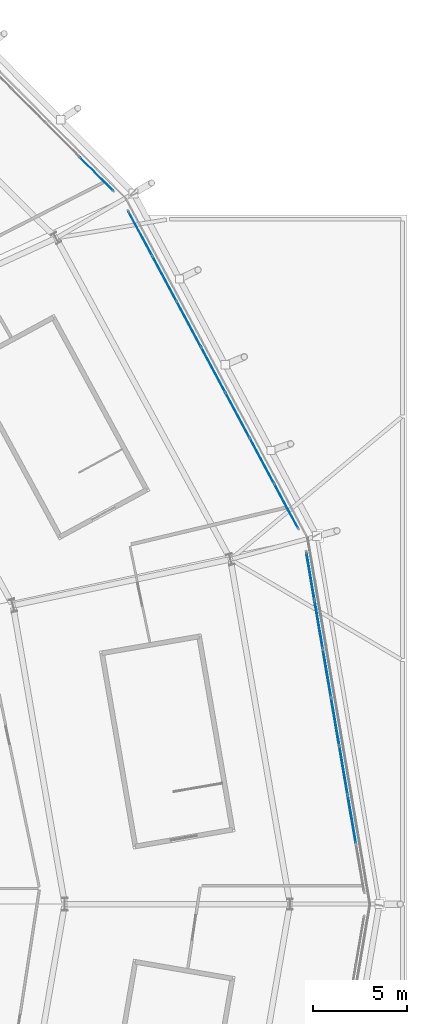
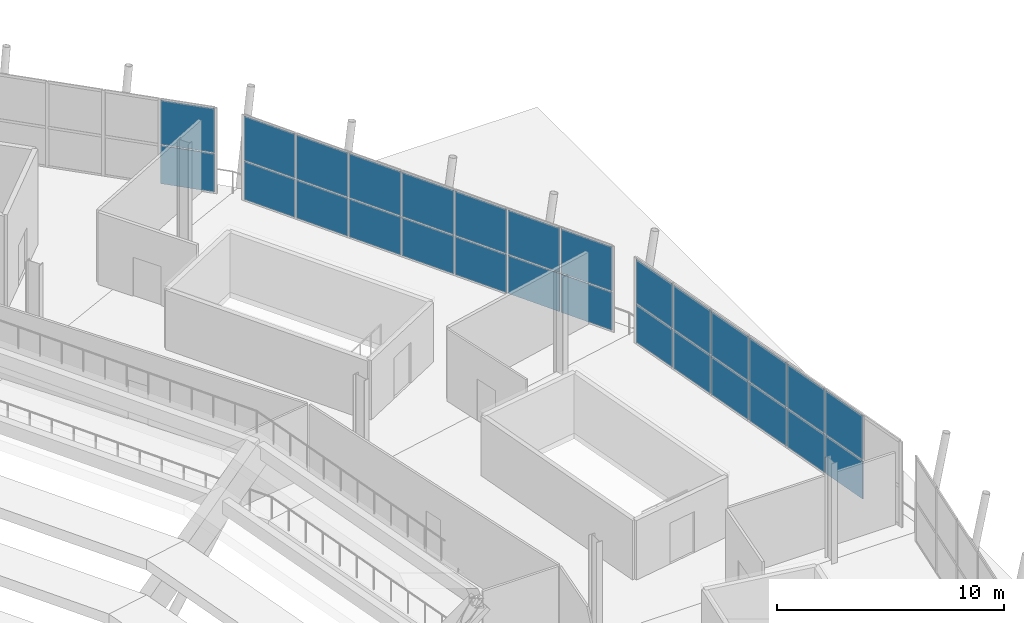
# One storey, part 69 of 126: 28 plates, 3 elements without a shape of their own.
"""IFC4 building model written with IfcOpenShell, lengths in metres."""

from ifc_helpers import new_model, si_unit, direction, frame, origin, origin_2d, place, context, subcontext, project, spatial, rectangle, extrude, material, layer, layer_set, type_object, element, aggregate, save


model = new_model("IFC4")

# Units and contexts
model_context = context("Model", 3, precision=1e-05, world=origin(), true_north=direction((0.0, 1.0)))
body_context = subcontext(model_context, "Body", "Model", "MODEL_VIEW")
ifc_project = project(units=[si_unit("LENGTHUNIT", "METRE"), si_unit("AREAUNIT", "SQUARE_METRE"), si_unit("VOLUMEUNIT", "CUBIC_METRE"), si_unit("PLANEANGLEUNIT", "RADIAN"), si_unit("MASSUNIT", "GRAM", prefix="KILO")], contexts=[model_context])

# Site, building, storey
site_placement = place(None, origin())
site = spatial("IfcSite", under=ifc_project, at=site_placement, CompositionType="ELEMENT")
building_placement = place(site_placement, origin())
building = spatial("IfcBuilding", under=site, at=building_placement, Name="Zlatoyarsky Gate Stadium", CompositionType="ELEMENT")
storey_placement = place(building_placement, frame((0.0, 0.0, 20.800048828125)))
storey = spatial("IfcBuildingStorey", under=building, at=storey_placement, Name="L04", CompositionType="ELEMENT", Elevation=20.800048828125)

# Curtain wall, plates
ifc_material_1 = material(Name="Thermally broken anodised aluminium curtain wall", Category="aluminium")
curtain_wall_type_1 = type_object("IfcCurtainWallType", Name="MONUMENTAL ARCHED GATE GLAZING LOWER", PredefinedType="USERDEFINED", material=ifc_material_1)
curtain_wall_1_placement = place(storey_placement, origin())
curtain_wall_1 = element("IfcCurtainWall", 1, at=curtain_wall_1_placement, inside=storey, type_object=curtain_wall_type_1, Name="Curtain wall CW-L04-00", ObjectType="ARCHED GATE GLAZING", PredefinedType="USERDEFINED")
ifc_material_2 = material(Name="Triple-glazed argon low-e architectural glass", Category="glass")
ifc_layer_1 = layer(ifc_material_2, 0.0458984375)
ifc_layer_set_1 = layer_set([ifc_layer_1], Name="Triple-glazed argon low-e architectural glass")
plate_type_1 = type_object("IfcPlateType", Name="ACOUSTIC LAMINATED GATE GLAZING PANEL 46", PredefinedType="CURTAIN_PANEL", material=ifc_layer_set_1)
plate_1_placement = place(storey_placement, frame((207.298583984375, 84.529541015625, 0.074951171875), z_axis=(0.0, 0.0, 1.0), x_axis=(-0.167821138782, 0.985817460475, 0.0)))
plate_1 = element("IfcPlate", 2, at=plate_1_placement, type_object=plate_type_1, Name="CW-AG1 panel 2.1", PredefinedType="CURTAIN_PANEL", context=body_context, shape_type="SweptSolid", body=[
    extrude(rectangle(XDim=2.554931640625, YDim=0.0458984375, at=origin_2d()), origin(), (0.0, 0.0, 1.0), 2.03759765625),
])
plate_2_placement = place(storey_placement, frame((207.298583984375, 84.529541015625, 2.1875), z_axis=(0.0, 0.0, 1.0), x_axis=(-0.167821138782, 0.985817460475, 0.0)))
plate_2 = element("IfcPlate", 3, at=plate_2_placement, type_object=plate_type_1, Name="CW-AG1 panel 2.2", PredefinedType="CURTAIN_PANEL", context=body_context, shape_type="SweptSolid", body=[
    extrude(rectangle(XDim=2.554931640625, YDim=0.0458984375, at=origin_2d()), origin(), (0.0, 0.0, 1.0), 2.357421875),
])
plate_3_placement = place(storey_placement, frame((206.857177734375, 87.1220703125, 0.074951171875), z_axis=(0.0, 0.0, 1.0), x_axis=(-0.167821138782, 0.985817460475, 0.0)))
plate_3 = element("IfcPlate", 4, at=plate_3_placement, type_object=plate_type_1, Name="CW-AG1 panel 3.1", PredefinedType="CURTAIN_PANEL", context=body_context, shape_type="SweptSolid", body=[
    extrude(rectangle(XDim=2.554931640625, YDim=0.0458984375, at=origin_2d()), origin(), (0.0, 0.0, 1.0), 2.03759765625),
])
plate_4_placement = place(storey_placement, frame((206.857177734375, 87.1220703125, 2.1875), z_axis=(0.0, 0.0, 1.0), x_axis=(-0.167821138782, 0.985817460475, 0.0)))
plate_4 = element("IfcPlate", 5, at=plate_4_placement, type_object=plate_type_1, Name="CW-AG1 panel 3.2", PredefinedType="CURTAIN_PANEL", context=body_context, shape_type="SweptSolid", body=[
    extrude(rectangle(XDim=2.554931640625, YDim=0.0458984375, at=origin_2d()), origin(), (0.0, 0.0, 1.0), 2.357421875),
])
plate_5_placement = place(storey_placement, frame((206.415771484375, 89.714599609375, 0.074951171875), z_axis=(0.0, 0.0, 1.0), x_axis=(-0.167821138782, 0.985817460475, 0.0)))
plate_5 = element("IfcPlate", 6, at=plate_5_placement, type_object=plate_type_1, Name="CW-AG1 panel 4.1", PredefinedType="CURTAIN_PANEL", context=body_context, shape_type="SweptSolid", body=[
    extrude(rectangle(XDim=2.554931640625, YDim=0.0458984375, at=origin_2d()), origin(), (0.0, 0.0, 1.0), 2.03759765625),
])
plate_6_placement = place(storey_placement, frame((206.415771484375, 89.714599609375, 2.1875), z_axis=(0.0, 0.0, 1.0), x_axis=(-0.167821138782, 0.985817460475, 0.0)))
plate_6 = element("IfcPlate", 7, at=plate_6_placement, type_object=plate_type_1, Name="CW-AG1 panel 4.2", PredefinedType="CURTAIN_PANEL", context=body_context, shape_type="SweptSolid", body=[
    extrude(rectangle(XDim=2.554931640625, YDim=0.0458984375, at=origin_2d()), origin(), (0.0, 0.0, 1.0), 2.357421875),
])
plate_7_placement = place(storey_placement, frame((205.974365234375, 92.30712890625, 0.074951171875), z_axis=(0.0, 0.0, 1.0), x_axis=(-0.167821138782, 0.985817460475, 0.0)))
plate_7 = element("IfcPlate", 8, at=plate_7_placement, type_object=plate_type_1, Name="CW-AG1 panel 5.1", PredefinedType="CURTAIN_PANEL", context=body_context, shape_type="SweptSolid", body=[
    extrude(rectangle(XDim=2.554931640625, YDim=0.0458984375, at=origin_2d()), origin(), (0.0, 0.0, 1.0), 2.03759765625),
])
plate_8_placement = place(storey_placement, frame((205.974365234375, 92.30712890625, 2.1875), z_axis=(0.0, 0.0, 1.0), x_axis=(-0.167821138782, 0.985817460475, 0.0)))
plate_8 = element("IfcPlate", 9, at=plate_8_placement, type_object=plate_type_1, Name="CW-AG1 panel 5.2", PredefinedType="CURTAIN_PANEL", context=body_context, shape_type="SweptSolid", body=[
    extrude(rectangle(XDim=2.554931640625, YDim=0.0458984375, at=origin_2d()), origin(), (0.0, 0.0, 1.0), 2.357421875),
])
plate_9_placement = place(storey_placement, frame((205.533203125, 94.89990234375, 0.074951171875), z_axis=(0.0, 0.0, 1.0), x_axis=(-0.167821138782, 0.985817460475, 0.0)))
plate_9 = element("IfcPlate", 10, at=plate_9_placement, type_object=plate_type_1, Name="CW-AG1 panel 6.1", PredefinedType="CURTAIN_PANEL", context=body_context, shape_type="SweptSolid", body=[
    extrude(rectangle(XDim=2.554931640625, YDim=0.0458984375, at=origin_2d()), origin(), (0.0, 0.0, 1.0), 2.03759765625),
])
plate_10_placement = place(storey_placement, frame((205.533203125, 94.89990234375, 2.1875), z_axis=(0.0, 0.0, 1.0), x_axis=(-0.167821138782, 0.985817460475, 0.0)))
plate_10 = element("IfcPlate", 11, at=plate_10_placement, type_object=plate_type_1, Name="CW-AG1 panel 6.2", PredefinedType="CURTAIN_PANEL", context=body_context, shape_type="SweptSolid", body=[
    extrude(rectangle(XDim=2.554931640625, YDim=0.0458984375, at=origin_2d()), origin(), (0.0, 0.0, 1.0), 2.357421875),
])
plate_11_placement = place(storey_placement, frame((205.094970703125, 97.473876953125, 0.074951171875), z_axis=(0.0, 0.0, 1.0), x_axis=(-0.167821138782, 0.985817460475, 0.0)))
plate_11 = element("IfcPlate", 12, at=plate_11_placement, type_object=plate_type_1, Name="CW-AG1 panel 7.1", PredefinedType="CURTAIN_PANEL", context=body_context, shape_type="SweptSolid", body=[
    extrude(rectangle(XDim=2.517333984375, YDim=0.0458984375, at=origin_2d()), origin(), (0.0, 0.0, 1.0), 2.03759765625),
])
plate_12_placement = place(storey_placement, frame((205.094970703125, 97.473876953125, 2.1875), z_axis=(0.0, 0.0, 1.0), x_axis=(-0.167821138782, 0.985817460475, 0.0)))
plate_12 = element("IfcPlate", 13, at=plate_12_placement, type_object=plate_type_1, Name="CW-AG1 panel 7.2", PredefinedType="CURTAIN_PANEL", context=body_context, shape_type="SweptSolid", body=[
    extrude(rectangle(XDim=2.517333984375, YDim=0.0458984375, at=origin_2d()), origin(), (0.0, 0.0, 1.0), 2.357421875),
])
aggregate(curtain_wall_1, [plate_1, plate_2, plate_3, plate_4, plate_5, plate_6, plate_7, plate_8, plate_9, plate_10, plate_11, plate_12])

curtain_wall_type_2 = type_object("IfcCurtainWallType", Name="UNITISED MEDIA RING GLAZING L04", PredefinedType="USERDEFINED", material=ifc_material_1)
curtain_wall_2_placement = place(storey_placement, origin())
curtain_wall_2 = element("IfcCurtainWall", 14, at=curtain_wall_2_placement, inside=storey, type_object=curtain_wall_type_2, Name="Curtain wall CW-L04-01", ObjectType="UNITISED GLAZING", PredefinedType="USERDEFINED")
ifc_layer_2 = layer(ifc_material_2, 0.0380859375)
ifc_layer_set_2 = layer_set([ifc_layer_2], Name="Triple-glazed argon low-e architectural glass")
plate_type_2 = type_object("IfcPlateType", Name="TRIPLE GLAZED LOW E CURTAIN PANEL 38", PredefinedType="CURTAIN_PANEL", material=ifc_layer_set_2)
plate_13_placement = place(storey_placement, frame((203.798583984375, 101.22802734375, 0.06494140625), z_axis=(0.0, 0.0, 1.0), x_axis=(-0.472144962966, 0.881520920878, 0.0)))
plate_13 = element("IfcPlate", 15, at=plate_13_placement, type_object=plate_type_2, Name="CW-UG4 panel 1.1", PredefinedType="CURTAIN_PANEL", context=body_context, shape_type="SweptSolid", body=[
    extrude(rectangle(XDim=2.65087890625, YDim=0.0380859375, at=origin_2d()), origin(), (0.0, 0.0, 1.0), 2.052490234375),
])
plate_14_placement = place(storey_placement, frame((203.798583984375, 101.22802734375, 2.182373046875), z_axis=(0.0, 0.0, 1.0), x_axis=(-0.472144962966, 0.881520920878, 0.0)))
plate_14 = element("IfcPlate", 16, at=plate_14_placement, type_object=plate_type_2, Name="CW-UG4 panel 1.2", PredefinedType="CURTAIN_PANEL", context=body_context, shape_type="SweptSolid", body=[
    extrude(rectangle(XDim=2.65087890625, YDim=0.0380859375, at=origin_2d()), origin(), (0.0, 0.0, 1.0), 2.37255859375),
])
plate_15_placement = place(storey_placement, frame((202.508544921875, 103.636474609375, 0.06494140625), z_axis=(0.0, 0.0, 1.0), x_axis=(-0.472144962966, 0.881520920878, 0.0)))
plate_15 = element("IfcPlate", 17, at=plate_15_placement, type_object=plate_type_2, Name="CW-UG4 panel 2.1", PredefinedType="CURTAIN_PANEL", context=body_context, shape_type="SweptSolid", body=[
    extrude(rectangle(XDim=2.683349609375, YDim=0.0380859375, at=origin_2d()), origin(), (0.0, 0.0, 1.0), 2.052490234375),
])
plate_16_placement = place(storey_placement, frame((202.508544921875, 103.636474609375, 2.182373046875), z_axis=(0.0, 0.0, 1.0), x_axis=(-0.472144962966, 0.881520920878, 0.0)))
plate_16 = element("IfcPlate", 18, at=plate_16_placement, type_object=plate_type_2, Name="CW-UG4 panel 2.2", PredefinedType="CURTAIN_PANEL", context=body_context, shape_type="SweptSolid", body=[
    extrude(rectangle(XDim=2.683349609375, YDim=0.0380859375, at=origin_2d()), origin(), (0.0, 0.0, 1.0), 2.37255859375),
])
plate_17_placement = place(storey_placement, frame((201.2109375, 106.059326171875, 0.06494140625), z_axis=(0.0, 0.0, 1.0), x_axis=(-0.472144962966, 0.881520920878, 0.0)))
plate_17 = element("IfcPlate", 19, at=plate_17_placement, type_object=plate_type_2, Name="CW-UG4 panel 3.1", PredefinedType="CURTAIN_PANEL", context=body_context, shape_type="SweptSolid", body=[
    extrude(rectangle(XDim=2.683349609375, YDim=0.0380859375, at=origin_2d()), origin(), (0.0, 0.0, 1.0), 2.052490234375),
])
plate_18_placement = place(storey_placement, frame((201.2109375, 106.059326171875, 2.182373046875), z_axis=(0.0, 0.0, 1.0), x_axis=(-0.472144962966, 0.881520920878, 0.0)))
plate_18 = element("IfcPlate", 20, at=plate_18_placement, type_object=plate_type_2, Name="CW-UG4 panel 3.2", PredefinedType="CURTAIN_PANEL", context=body_context, shape_type="SweptSolid", body=[
    extrude(rectangle(XDim=2.683349609375, YDim=0.0380859375, at=origin_2d()), origin(), (0.0, 0.0, 1.0), 2.37255859375),
])
plate_19_placement = place(storey_placement, frame((199.913330078125, 108.482177734375, 0.06494140625), z_axis=(0.0, 0.0, 1.0), x_axis=(-0.472144962966, 0.881520920878, 0.0)))
plate_19 = element("IfcPlate", 21, at=plate_19_placement, type_object=plate_type_2, Name="CW-UG4 panel 4.1", PredefinedType="CURTAIN_PANEL", context=body_context, shape_type="SweptSolid", body=[
    extrude(rectangle(XDim=2.683349609375, YDim=0.0380859375, at=origin_2d()), origin(), (0.0, 0.0, 1.0), 2.052490234375),
])
plate_20_placement = place(storey_placement, frame((199.913330078125, 108.482177734375, 2.182373046875), z_axis=(0.0, 0.0, 1.0), x_axis=(-0.472144962966, 0.881520920878, 0.0)))
plate_20 = element("IfcPlate", 22, at=plate_20_placement, type_object=plate_type_2, Name="CW-UG4 panel 4.2", PredefinedType="CURTAIN_PANEL", context=body_context, shape_type="SweptSolid", body=[
    extrude(rectangle(XDim=2.683349609375, YDim=0.0380859375, at=origin_2d()), origin(), (0.0, 0.0, 1.0), 2.37255859375),
])
plate_21_placement = place(storey_placement, frame((198.61572265625, 110.90478515625, 0.06494140625), z_axis=(0.0, 0.0, 1.0), x_axis=(-0.472144962966, 0.881520920878, 0.0)))
plate_21 = element("IfcPlate", 23, at=plate_21_placement, type_object=plate_type_2, Name="CW-UG4 panel 5.1", PredefinedType="CURTAIN_PANEL", context=body_context, shape_type="SweptSolid", body=[
    extrude(rectangle(XDim=2.683349609375, YDim=0.0380859375, at=origin_2d()), origin(), (0.0, 0.0, 1.0), 2.052490234375),
])
plate_22_placement = place(storey_placement, frame((198.61572265625, 110.90478515625, 2.182373046875), z_axis=(0.0, 0.0, 1.0), x_axis=(-0.472144962966, 0.881520920878, 0.0)))
plate_22 = element("IfcPlate", 24, at=plate_22_placement, type_object=plate_type_2, Name="CW-UG4 panel 5.2", PredefinedType="CURTAIN_PANEL", context=body_context, shape_type="SweptSolid", body=[
    extrude(rectangle(XDim=2.683349609375, YDim=0.0380859375, at=origin_2d()), origin(), (0.0, 0.0, 1.0), 2.37255859375),
])
plate_23_placement = place(storey_placement, frame((197.318115234375, 113.32763671875, 0.06494140625), z_axis=(0.0, 0.0, 1.0), x_axis=(-0.472144962966, 0.881520920878, 0.0)))
plate_23 = element("IfcPlate", 25, at=plate_23_placement, type_object=plate_type_2, Name="CW-UG4 panel 6.1", PredefinedType="CURTAIN_PANEL", context=body_context, shape_type="SweptSolid", body=[
    extrude(rectangle(XDim=2.683349609375, YDim=0.0380859375, at=origin_2d()), origin(), (0.0, 0.0, 1.0), 2.052490234375),
])
plate_24_placement = place(storey_placement, frame((197.318115234375, 113.32763671875, 2.182373046875), z_axis=(0.0, 0.0, 1.0), x_axis=(-0.472144962966, 0.881520920878, 0.0)))
plate_24 = element("IfcPlate", 26, at=plate_24_placement, type_object=plate_type_2, Name="CW-UG4 panel 6.2", PredefinedType="CURTAIN_PANEL", context=body_context, shape_type="SweptSolid", body=[
    extrude(rectangle(XDim=2.683349609375, YDim=0.0380859375, at=origin_2d()), origin(), (0.0, 0.0, 1.0), 2.37255859375),
])
plate_25_placement = place(storey_placement, frame((196.028076171875, 115.736083984375, 0.06494140625), z_axis=(0.0, 0.0, 1.0), x_axis=(-0.472144962966, 0.881520920878, 0.0)))
plate_25 = element("IfcPlate", 27, at=plate_25_placement, type_object=plate_type_2, Name="CW-UG4 panel 7.1", PredefinedType="CURTAIN_PANEL", context=body_context, shape_type="SweptSolid", body=[
    extrude(rectangle(XDim=2.65087890625, YDim=0.0380859375, at=origin_2d()), origin(), (0.0, 0.0, 1.0), 2.052490234375),
])
plate_26_placement = place(storey_placement, frame((196.028076171875, 115.736083984375, 2.182373046875), z_axis=(0.0, 0.0, 1.0), x_axis=(-0.472144962966, 0.881520920878, 0.0)))
plate_26 = element("IfcPlate", 28, at=plate_26_placement, type_object=plate_type_2, Name="CW-UG4 panel 7.2", PredefinedType="CURTAIN_PANEL", context=body_context, shape_type="SweptSolid", body=[
    extrude(rectangle(XDim=2.65087890625, YDim=0.0380859375, at=origin_2d()), origin(), (0.0, 0.0, 1.0), 2.37255859375),
])
aggregate(curtain_wall_2, [plate_13, plate_14, plate_15, plate_16, plate_17, plate_18, plate_19, plate_20, plate_21, plate_22, plate_23, plate_24, plate_25, plate_26])

curtain_wall_3_placement = place(storey_placement, origin())
curtain_wall_3 = element("IfcCurtainWall", 29, at=curtain_wall_3_placement, inside=storey, type_object=curtain_wall_type_2, Name="Curtain wall CW-L04-02", ObjectType="UNITISED GLAZING", PredefinedType="USERDEFINED")
plate_27_placement = place(storey_placement, frame((193.6884765625, 118.921875, 0.06494140625), z_axis=(0.0, 0.0, 1.0), x_axis=(-0.704332181269, 0.709870536386, 0.0)))
plate_27 = element("IfcPlate", 30, at=plate_27_placement, type_object=plate_type_2, Name="CW-UG4 panel 1.1", PredefinedType="CURTAIN_PANEL", context=body_context, shape_type="SweptSolid", body=[
    extrude(rectangle(XDim=2.477783203125, YDim=0.0380859375, at=origin_2d()), origin(), (0.0, 0.0, 1.0), 2.052490234375),
])
plate_28_placement = place(storey_placement, frame((193.6884765625, 118.921875, 2.182373046875), z_axis=(0.0, 0.0, 1.0), x_axis=(-0.704332181269, 0.709870536386, 0.0)))
plate_28 = element("IfcPlate", 31, at=plate_28_placement, type_object=plate_type_2, Name="CW-UG4 panel 1.2", PredefinedType="CURTAIN_PANEL", context=body_context, shape_type="SweptSolid", body=[
    extrude(rectangle(XDim=2.477783203125, YDim=0.0380859375, at=origin_2d()), origin(), (0.0, 0.0, 1.0), 2.37255859375),
])
aggregate(curtain_wall_3, [plate_27, plate_28])

save(model, "model.ifc")
